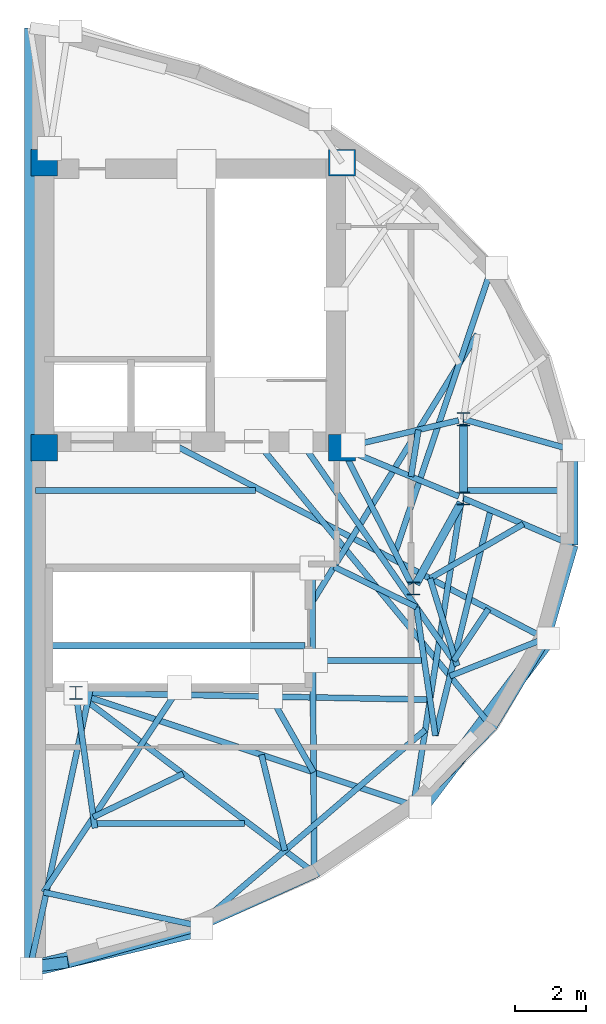
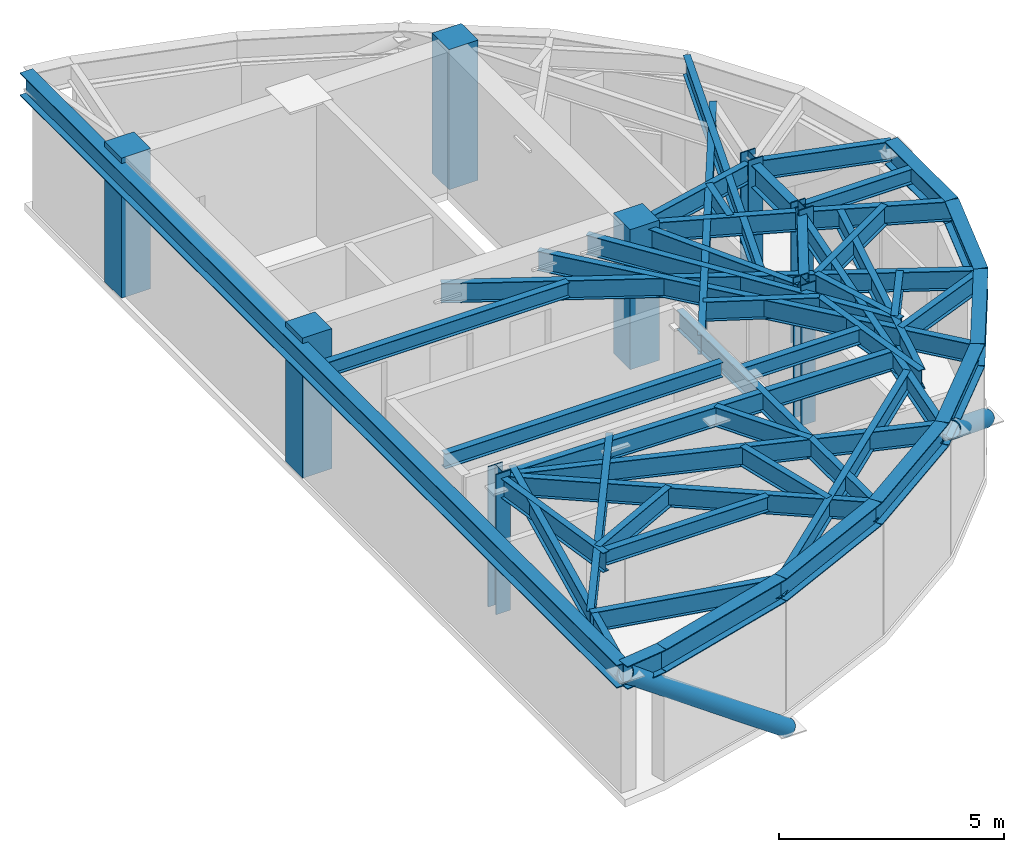
# One storey, part 1 of 4: 47 beams, 8 columns, 2 members.
"""IFC4 building model written with IfcOpenShell, lengths in metres."""

from ifc_helpers import new_model, si_unit, direction, frame, origin, origin_2d, place, context, subcontext, project, spatial, rectangle, hollow_circle, i_section, extrude, material, material_profile, profile_set, type_object, element, save


model = new_model("IFC4")

# Units and contexts
model_context = context("Model", 3, precision=1e-05, world=origin(), true_north=direction((0.0, 1.0)))
body_context = subcontext(model_context, "Body", "Model", "MODEL_VIEW")
ifc_project = project(units=[si_unit("LENGTHUNIT", "METRE"), si_unit("AREAUNIT", "SQUARE_METRE"), si_unit("VOLUMEUNIT", "CUBIC_METRE"), si_unit("PLANEANGLEUNIT", "RADIAN"), si_unit("MASSUNIT", "GRAM", prefix="KILO")], contexts=[model_context])

# Site, building, storey
site_placement = place(None, origin())
site = spatial("IfcSite", under=ifc_project, at=site_placement, CompositionType="ELEMENT")
building_placement = place(site_placement, origin())
building = spatial("IfcBuilding", under=site, at=building_placement, Name="Keldmark Tower", CompositionType="ELEMENT")
storey_placement = place(building_placement, frame((0.0, 0.0, 288.199951171875)))
storey = spatial("IfcBuildingStorey", under=building, at=storey_placement, Name="L81", CompositionType="ELEMENT", Elevation=288.199951171875)

# Columns
ifc_material_1 = material(Name="Concrete C50/60", Category="concrete")
ifc_material_profile_1 = material_profile(ifc_material_1, rectangle(XDim=0.75, YDim=0.75, at=origin_2d()), Name="RC750X750")
ifc_profile_set_1 = profile_set([ifc_material_profile_1], Name="Concrete C50/60")
column_type_1 = type_object("IfcColumnType", Name="Core Boundary Column RC750", PredefinedType="PILASTER", material=ifc_profile_set_1)
for number, where, z_axis, x_axis, name in (
    (1, (5.199951171875, 1.39990234375, 0.0), (0.0, 0.0, 1.0), (1.0, 0.0, 0.0), "L81 Core Boundary Column CC-E1"),
    (2, (5.199951171875, 9.449951171875, 0.0), (0.0, 0.0, 1.0), (1.0, 0.0, 0.0), "L81 Core Boundary Column CC-E2"),
    (3, (13.60009765625, 1.39990234375, 0.0), (0.0, 0.0, 1.0), (1.0, 0.0, 0.0), "L81 Core Boundary Column CC-E3"),
    (4, (13.60009765625, 9.449951171875, 0.0), (0.0, 0.0, 1.0), (1.0, 0.0, 0.0), "L81 Core Boundary Column CC-E4"),
):
    element("IfcColumn", number, at=place(storey_placement, frame(where, z_axis=z_axis, x_axis=x_axis)), inside=storey, type_object=column_type_1, Name=name, PredefinedType="PILASTER", context=body_context, shape_type="SweptSolid", body=[
        extrude(rectangle(XDim=0.75, YDim=0.75, at=origin_2d()), origin(), (0.0, 0.0, 1.0), 3.800048828125),
    ])
ifc_material_2 = material(Name="Steel ASTM A992 Grade 50", Category="steel")
ifc_material_profile_2 = material_profile(ifc_material_2, i_section(OverallWidth=0.3740234375, OverallDepth=0.3720703125, WebThickness=0.016357421875, FlangeThickness=0.026123046875, at=origin_2d()), Name="W14X132")
ifc_profile_set_2 = profile_set([ifc_material_profile_2], Name="Steel ASTM A992 Grade 50")
column_type_2 = type_object("IfcColumnType", Name="Tower Gravity Column W14X132", PredefinedType="COLUMN", material=ifc_profile_set_2)
for number, where, z_axis, x_axis, name in (
    (5, (17.025634765625, 2.2080078125, 0.0), (0.0, 0.0, 1.0), (1.0, 0.0, 0.0), "L81 Tower Gravity Column TC-E1"),
    (6, (6.089599609375, -5.512939453125, 0.0), (0.0, 0.0, 1.0), (1.0, 0.0, 0.0), "L81 Tower Gravity Column TC-E3"),
    (7, (15.6162109375, -2.5673828125, 0.0), (0.0, 0.0, 1.0), (1.0, 0.0, 0.0), "L81 Tower Gravity Column TC-E2"),
    (8, (17.025634765625, -0.02392578125, 0.0), (0.0, 0.0, 1.0), (1.0, 0.0, 0.0), "L81 Tower Gravity Column TC-E5"),
):
    element("IfcColumn", number, at=place(storey_placement, frame(where, z_axis=z_axis, x_axis=x_axis)), inside=storey, type_object=column_type_2, Name=name, PredefinedType="COLUMN", context=body_context, shape_type="SweptSolid", body=[
        extrude(i_section(OverallWidth=0.3740234375, OverallDepth=0.3720703125, WebThickness=0.016357421875, FlangeThickness=0.026123046875, at=origin_2d()), origin(), (0.0, 0.0, 1.0), 3.800048828125),
    ])

# Beams
ifc_material_3 = material(Name="Steel ASTM A992 Grade 50", Category="steel")
ifc_material_profile_3 = material_profile(ifc_material_3, i_section(OverallWidth=0.177978515625, OverallDepth=0.403076171875, WebThickness=0.007568359375, FlangeThickness=0.010986328125, at=origin_2d()), Name="W16X36")
ifc_profile_set_3 = profile_set([ifc_material_profile_3], Name="Steel ASTM A992 Grade 50")
beam_type_1 = type_object("IfcBeamType", Name="Composite Floor Joist W16X36", PredefinedType="JOIST", material=ifc_profile_set_3)
beam_1_placement = place(storey_placement, frame((6.683837890625, -9.199951171875, 3.448486328125), z_axis=(1.0, 0.0, 0.0), x_axis=(0.0, 1.0, 0.0)))
element("IfcBeam", 9, at=beam_1_placement, inside=storey, type_object=beam_type_1, Name="L81 Composite Floor Joist J01", PredefinedType="JOIST", context=body_context, shape_type="SweptSolid", body=[
    extrude(i_section(OverallWidth=0.177978515625, OverallDepth=0.403076171875, WebThickness=0.007568359375, FlangeThickness=0.010986328125, at=origin_2d()), origin(), (0.0, 0.0, 1.0), 4.16162109375),
])
beam_2_placement = place(storey_placement, frame((5.429931640625, -4.179931640625, 3.448486328125), z_axis=(1.0, 0.0, 0.0), x_axis=(0.0, 1.0, 0.0)))
element("IfcBeam", 10, at=beam_2_placement, inside=storey, type_object=beam_type_1, Name="L81 Composite Floor Joist J02", PredefinedType="JOIST", context=body_context, shape_type="SweptSolid", body=[
    extrude(i_section(OverallWidth=0.177978515625, OverallDepth=0.403076171875, WebThickness=0.007568359375, FlangeThickness=0.010986328125, at=origin_2d()), origin(), (0.0, 0.0, 1.0), 7.130126953125),
])
beam_3_placement = place(storey_placement, frame((12.8515625, -4.60009765625, 3.448486328125), z_axis=(1.0, 0.0, 0.0), x_axis=(0.0, 1.0, 0.0)))
element("IfcBeam", 11, at=beam_3_placement, inside=storey, type_object=beam_type_1, Name="L81 Composite Floor Joist J03", PredefinedType="JOIST", context=body_context, shape_type="SweptSolid", body=[
    extrude(i_section(OverallWidth=0.177978515625, OverallDepth=0.403076171875, WebThickness=0.007568359375, FlangeThickness=0.010986328125, at=origin_2d()), origin(), (0.0, 0.0, 1.0), 2.993896484375),
])
beam_4_placement = place(storey_placement, frame((4.95458984375, 0.199951171875, 3.448486328125), z_axis=(1.0, 0.0, 0.0), x_axis=(0.0, 1.0, 0.0)))
element("IfcBeam", 12, at=beam_4_placement, inside=storey, type_object=beam_type_1, Name="L81 Composite Floor Joist J04", PredefinedType="JOIST", context=body_context, shape_type="SweptSolid", body=[
    extrude(i_section(OverallWidth=0.177978515625, OverallDepth=0.403076171875, WebThickness=0.007568359375, FlangeThickness=0.010986328125, at=origin_2d()), origin(), (0.0, 0.0, 1.0), 6.199462890625),
])
beam_5_placement = place(storey_placement, frame((17.130615234375, 0.199951171875, 3.448486328125), z_axis=(1.0, 0.0, 0.0), x_axis=(0.0, 1.0, 0.0)))
element("IfcBeam", 13, at=beam_5_placement, inside=storey, type_object=beam_type_1, Name="L81 Composite Floor Joist J05", PredefinedType="JOIST", context=body_context, shape_type="SweptSolid", body=[
    extrude(i_section(OverallWidth=0.177978515625, OverallDepth=0.403076171875, WebThickness=0.007568359375, FlangeThickness=0.010986328125, at=origin_2d()), origin(), (0.0, 0.0, 1.0), 2.817626953125),
])

# Members
ifc_material_4 = material(Name="Steel ASTM A572 Grade 50", Category="steel")
ifc_material_profile_4 = material_profile(ifc_material_4, hollow_circle(Radius=0.22509765625, WallThickness=0.02197265625, at=origin_2d()), Name="CHS450X22")
ifc_profile_set_4 = profile_set([ifc_material_profile_4], Name="Steel ASTM A572 Grade 50")
member_type = type_object("IfcMemberType", Name="Crown Frame Brace CHS450X22", PredefinedType="USERDEFINED", material=ifc_profile_set_4)
member_1_placement = place(storey_placement, frame((19.423095703125, -3.9736328125, -0.449951171875), z_axis=(-0.507808730988, -0.670690129916, 0.540652422879), x_axis=(0.797257960963, -0.603638752634, 0.0)))
element("IfcMember", 14, at=member_1_placement, inside=storey, type_object=member_type, Name="L81 Crown Frame Diagonal E08", ObjectType="CROWN FRAME", PredefinedType="USERDEFINED", context=body_context, shape_type="SweptSolid", body=[
    extrude(hollow_circle(Radius=0.22509765625, WallThickness=0.02197265625, at=origin_2d()), origin(), (0.0, 0.0, 1.0), 7.12109375),
])
member_2_placement = place(storey_placement, frame((9.64208984375, -12.1552734375, -0.449951171875), z_axis=(-0.767619049072, -0.182124438343, 0.614484893597), x_axis=(0.230850347321, -0.97298926877, 0.0)))
element("IfcMember", 15, at=member_2_placement, inside=storey, type_object=member_type, Name="L81 Crown Frame Diagonal E12", ObjectType="CROWN FRAME", PredefinedType="USERDEFINED", context=body_context, shape_type="SweptSolid", body=[
    extrude(hollow_circle(Radius=0.22509765625, WallThickness=0.02197265625, at=origin_2d()), origin(), (0.0, 0.0, 1.0), 6.265625),
])

# Beams
ifc_material_5 = material(Name="Steel ASTM A992 Grade 50", Category="steel")
ifc_material_profile_5 = material_profile(ifc_material_5, i_section(OverallWidth=0.22802734375, OverallDepth=0.60302734375, WebThickness=0.010498046875, FlangeThickness=0.014892578125, at=origin_2d()), Name="W24X68")
ifc_profile_set_5 = profile_set([ifc_material_profile_5], Name="Steel ASTM A992 Grade 50")
beam_type_2 = type_object("IfcBeamType", Name="Primary Floor Girder W24X68", PredefinedType="BEAM", material=ifc_profile_set_5)
beam_6_placement = place(storey_placement, frame((15.68408203125, -2.44482421875, 3.3486328125), z_axis=(0.484719680408, 0.874669555561, 0.0), x_axis=(-0.874669555561, 0.484719680408, 0.0)))
element("IfcBeam", 16, at=beam_6_placement, inside=storey, type_object=beam_type_2, Name="L81 Floor Ring Girder FG-R03", PredefinedType="BEAM", context=body_context, shape_type="SweptSolid", body=[
    extrude(i_section(OverallWidth=0.22802734375, OverallDepth=0.60302734375, WebThickness=0.010498046875, FlangeThickness=0.014892578125, at=origin_2d()), origin(), (0.0, 0.0, 1.0), 2.627685546875),
])
beam_7_placement = place(storey_placement, frame((17.025634765625, 0.115966796875, 3.3486328125), z_axis=(0.0, 1.0, 0.0), x_axis=(-1.0, 0.0, 0.0)))
element("IfcBeam", 17, at=beam_7_placement, inside=storey, type_object=beam_type_2, Name="L81 Floor Ring Girder FG-R04", PredefinedType="BEAM", context=body_context, shape_type="SweptSolid", body=[
    extrude(i_section(OverallWidth=0.22802734375, OverallDepth=0.60302734375, WebThickness=0.010498046875, FlangeThickness=0.014892578125, at=origin_2d()), origin(), (0.0, 0.0, 1.0), 1.9521484375),
])
ifc_material_6 = material(Name="Steel ASTM A992 Grade 50", Category="steel")
ifc_material_profile_6 = material_profile(ifc_material_6, i_section(OverallWidth=0.166015625, OverallDepth=0.529052734375, WebThickness=0.009765625, FlangeThickness=0.013671875, at=origin_2d()), Name="W21X50")
ifc_profile_set_6 = profile_set([ifc_material_profile_6], Name="Steel ASTM A992 Grade 50")
beam_type_3 = type_object("IfcBeamType", Name="Radial Tie Girder W21X50", PredefinedType="BEAM", material=ifc_profile_set_6)
beam_8_placement = place(storey_placement, frame((16.889404296875, 2.17578125, 3.385498046875), z_axis=(-0.97329039005, -0.229577474147, 0.0), x_axis=(0.229577474147, -0.97329039005, 0.0)))
element("IfcBeam", 18, at=beam_8_placement, inside=storey, type_object=beam_type_3, Name="L81 Floor Radial Girder FG-C01", PredefinedType="BEAM", context=body_context, shape_type="SweptSolid", body=[
    extrude(i_section(OverallWidth=0.166015625, OverallDepth=0.529052734375, WebThickness=0.009765625, FlangeThickness=0.013671875, at=origin_2d()), origin(), (0.0, 0.0, 1.0), 3.0595703125),
])
beam_9_placement = place(storey_placement, frame((15.552734375, -2.442626953125, 3.385498046875), z_axis=(-0.453004410574, 0.89150827478, 0.0), x_axis=(-0.89150827478, -0.453004410574, 0.0)))
element("IfcBeam", 19, at=beam_9_placement, inside=storey, type_object=beam_type_3, Name="L81 Floor Radial Girder FG-C11", PredefinedType="BEAM", context=body_context, shape_type="SweptSolid", body=[
    extrude(i_section(OverallWidth=0.166015625, OverallDepth=0.529052734375, WebThickness=0.009765625, FlangeThickness=0.013671875, at=origin_2d()), origin(), (0.0, 0.0, 1.0), 3.990234375),
])
beam_10_placement = place(storey_placement, frame((16.896240234375, 0.02978515625, 3.385498046875), z_axis=(-0.923403331902, 0.383831065226, 0.0), x_axis=(-0.383831065226, -0.923403331902, 0.0)))
element("IfcBeam", 20, at=beam_10_placement, inside=storey, type_object=beam_type_3, Name="L81 Floor Radial Girder FG-C12", PredefinedType="BEAM", context=body_context, shape_type="SweptSolid", body=[
    extrude(i_section(OverallWidth=0.166015625, OverallDepth=0.529052734375, WebThickness=0.009765625, FlangeThickness=0.013671875, at=origin_2d()), origin(), (0.0, 0.0, 1.0), 3.249755859375),
])
beam_11_placement = place(storey_placement, frame((15.5458984375, 0.591064453125, 3.385498046875), z_axis=(0.157540898817, 0.987512463314, 0.0), x_axis=(-0.987512463314, 0.157540898817, 0.0)))
element("IfcBeam", 21, at=beam_11_placement, inside=storey, type_object=beam_type_3, Name="L81 Framing Pin Header PH-001", PredefinedType="BEAM", context=body_context, shape_type="SweptSolid", body=[
    extrude(i_section(OverallWidth=0.166015625, OverallDepth=0.529052734375, WebThickness=0.009765625, FlangeThickness=0.013671875, at=origin_2d()), origin(), (0.0, 0.0, 1.0), 1.334228515625),
])
beam_12_placement = place(storey_placement, frame((12.659912109375, -3.11328125, 3.385498046875), z_axis=(0.524785026428, 0.851234794893, 0.0), x_axis=(-0.851234794893, 0.524785026428, 0.0)))
element("IfcBeam", 22, at=beam_12_placement, inside=storey, type_object=beam_type_3, Name="L81 Intermediate Radial Step Girder CRT-E05M", PredefinedType="BEAM", context=body_context, shape_type="SweptSolid", body=[
    extrude(i_section(OverallWidth=0.166015625, OverallDepth=0.529052734375, WebThickness=0.009765625, FlangeThickness=0.013671875, at=origin_2d()), origin(), (0.0, 0.0, 1.0), 9.07080078125),
])
beam_13_placement = place(storey_placement, frame((15.100830078125, -1.55322265625, 3.385498046875), z_axis=(0.320847961113, 0.947130712124, 0.0), x_axis=(-0.947130712124, 0.320847961113, 0.0)))
element("IfcBeam", 23, at=beam_13_placement, inside=storey, type_object=beam_type_3, Name="L81 Perimeter Radial Tie Girder CRT-E05", PredefinedType="BEAM", context=body_context, shape_type="SweptSolid", body=[
    extrude(i_section(OverallWidth=0.166015625, OverallDepth=0.529052734375, WebThickness=0.009765625, FlangeThickness=0.013671875, at=origin_2d()), origin(), (0.0, 0.0, 1.0), 8.45849609375),
])
beam_14_placement = place(storey_placement, frame((17.025634765625, 2.2080078125, 3.385498046875), z_axis=(0.962668356494, -0.270683644511, 0.0), x_axis=(0.270683644511, 0.962668356494, 0.0)))
element("IfcBeam", 24, at=beam_14_placement, inside=storey, type_object=beam_type_3, Name="L81 Perimeter Column Bracket CRT-E07", PredefinedType="BEAM", context=body_context, shape_type="SweptSolid", body=[
    extrude(i_section(OverallWidth=0.166015625, OverallDepth=0.529052734375, WebThickness=0.009765625, FlangeThickness=0.013671875, at=origin_2d()), origin(), (0.0, 0.0, 1.0), 3.196533203125),
])
beam_15_placement = place(storey_placement, frame((17.025634765625, -0.02392578125, 3.385498046875), z_axis=(0.91913748596, -0.393936900917, 0.0), x_axis=(0.393936900917, 0.91913748596, 0.0)))
element("IfcBeam", 25, at=beam_15_placement, inside=storey, type_object=beam_type_3, Name="L81 Perimeter Column Bracket CRT-E08", PredefinedType="BEAM", context=body_context, shape_type="SweptSolid", body=[
    extrude(i_section(OverallWidth=0.166015625, OverallDepth=0.529052734375, WebThickness=0.009765625, FlangeThickness=0.013671875, at=origin_2d()), origin(), (0.0, 0.0, 1.0), 3.347900390625),
])
beam_16_placement = place(storey_placement, frame((18.718017578125, -0.749267578125, 3.385498046875), z_axis=(-0.864098230353, -0.503323204612, 0.0), x_axis=(0.503323204612, -0.864098230353, 0.0)))
element("IfcBeam", 26, at=beam_16_placement, inside=storey, type_object=beam_type_3, Name="L81 Framing Pin Header PH-003", PredefinedType="BEAM", context=body_context, shape_type="SweptSolid", body=[
    extrude(i_section(OverallWidth=0.166015625, OverallDepth=0.529052734375, WebThickness=0.009765625, FlangeThickness=0.013671875, at=origin_2d()), origin(), (0.0, 0.0, 1.0), 3.048583984375),
])
beam_17_placement = place(storey_placement, frame((8.685791015625, 1.574951171875, 3.385498046875), z_axis=(0.886645756959, -0.462449242259, 0.0), x_axis=(0.462449242259, 0.886645756959, 0.0)))
element("IfcBeam", 27, at=beam_17_placement, inside=storey, type_object=beam_type_3, Name="L81 Perimeter Radial Tie Girder CRT-E09", PredefinedType="BEAM", context=body_context, shape_type="SweptSolid", body=[
    extrude(i_section(OverallWidth=0.166015625, OverallDepth=0.529052734375, WebThickness=0.009765625, FlangeThickness=0.013671875, at=origin_2d()), origin(), (0.0, 0.0, 1.0), 12.005126953125),
])
beam_18_placement = place(storey_placement, frame((13.3740234375, -1.955078125, 3.385498046875), z_axis=(0.897906113047, -0.440187019518, 0.0), x_axis=(0.440187019518, 0.897906113047, 0.0)))
element("IfcBeam", 28, at=beam_18_placement, inside=storey, type_object=beam_type_3, Name="L81 Framing Pin Header PH-004", PredefinedType="BEAM", context=body_context, shape_type="SweptSolid", body=[
    extrude(i_section(OverallWidth=0.166015625, OverallDepth=0.529052734375, WebThickness=0.009765625, FlangeThickness=0.013671875, at=origin_2d()), origin(), (0.0, 0.0, 1.0), 2.590087890625),
])
beam_19_placement = place(storey_placement, frame((12.4462890625, 1.574951171875, 3.385498046875), z_axis=(0.571596945457, -0.820534540373, 0.0), x_axis=(0.820534540373, 0.571596945457, 0.0)))
element("IfcBeam", 29, at=beam_19_placement, inside=storey, type_object=beam_type_3, Name="L81 Intermediate Radial Step Girder CRT-E10M", PredefinedType="BEAM", context=body_context, shape_type="SweptSolid", body=[
    extrude(i_section(OverallWidth=0.166015625, OverallDepth=0.529052734375, WebThickness=0.009765625, FlangeThickness=0.013671875, at=origin_2d()), origin(), (0.0, 0.0, 1.0), 7.70947265625),
])
beam_20_placement = place(storey_placement, frame((16.083740234375, -2.28369140625, 3.385498046875), z_axis=(0.29766174431, -0.954671402093, 0.0), x_axis=(0.954671402093, 0.29766174431, 0.0)))
element("IfcBeam", 30, at=beam_20_placement, inside=storey, type_object=beam_type_3, Name="L81 Local Collector Chord CRT-E10C", PredefinedType="BEAM", context=body_context, shape_type="SweptSolid", body=[
    extrude(i_section(OverallWidth=0.166015625, OverallDepth=0.529052734375, WebThickness=0.009765625, FlangeThickness=0.013671875, at=origin_2d()), origin(), (0.0, 0.0, 1.0), 2.58447265625),
])
beam_21_placement = place(storey_placement, frame((17.7333984375, -3.14404296875, 3.385498046875), z_axis=(-0.557161145366, -0.830404394313, 0.0), x_axis=(0.830404394313, -0.557161145366, 0.0)))
element("IfcBeam", 31, at=beam_21_placement, inside=storey, type_object=beam_type_3, Name="L81 Framing Pin Header PH-005", PredefinedType="BEAM", context=body_context, shape_type="SweptSolid", body=[
    extrude(i_section(OverallWidth=0.166015625, OverallDepth=0.529052734375, WebThickness=0.009765625, FlangeThickness=0.013671875, at=origin_2d()), origin(), (0.0, 0.0, 1.0), 1.760986328125),
])
beam_22_placement = place(storey_placement, frame((17.794921875, -0.353759765625, 3.385498046875), z_axis=(-0.238116807366, -0.971236524257, 0.0), x_axis=(0.971236524257, -0.238116807366, 0.0)))
element("IfcBeam", 32, at=beam_22_placement, inside=storey, type_object=beam_type_3, Name="L81 Intermediate Radial Step Girder CRT-E11M", PredefinedType="BEAM", context=body_context, shape_type="SweptSolid", body=[
    extrude(i_section(OverallWidth=0.166015625, OverallDepth=0.529052734375, WebThickness=0.009765625, FlangeThickness=0.013671875, at=origin_2d()), origin(), (0.0, 0.0, 1.0), 6.5556640625),
])
beam_23_placement = place(storey_placement, frame((15.69970703125, -3.09521484375, 3.385498046875), z_axis=(0.145756728198, -0.989320461825, 0.0), x_axis=(0.989320461825, 0.145756728198, 0.0)))
element("IfcBeam", 33, at=beam_23_placement, inside=storey, type_object=beam_type_3, Name="L81 Local Collector Chord CRT-E11C", PredefinedType="BEAM", context=body_context, shape_type="SweptSolid", body=[
    extrude(i_section(OverallWidth=0.166015625, OverallDepth=0.529052734375, WebThickness=0.009765625, FlangeThickness=0.013671875, at=origin_2d()), origin(), (0.0, 0.0, 1.0), 3.664794921875),
])
beam_24_placement = place(storey_placement, frame((6.089599609375, -5.512939453125, 3.385498046875), z_axis=(0.999815735445, -0.019196227663, 0.0), x_axis=(0.019196227663, 0.999815735445, 0.0)))
element("IfcBeam", 34, at=beam_24_placement, inside=storey, type_object=beam_type_3, Name="L81 Framing Pin Header PH-006", PredefinedType="BEAM", context=body_context, shape_type="SweptSolid", body=[
    extrude(i_section(OverallWidth=0.166015625, OverallDepth=0.529052734375, WebThickness=0.009765625, FlangeThickness=0.013671875, at=origin_2d()), origin(), (0.0, 0.0, 1.0), 9.99658203125),
])
beam_25_placement = place(storey_placement, frame((16.957763671875, -0.146484375, 3.385498046875), z_axis=(-0.155269708011, -0.987872116103, 0.0), x_axis=(0.987872116103, -0.155269708011, 0.0)))
element("IfcBeam", 35, at=beam_25_placement, inside=storey, type_object=beam_type_3, Name="L81 Perimeter Radial Tie Girder CRT-E11", PredefinedType="BEAM", context=body_context, shape_type="SweptSolid", body=[
    extrude(i_section(OverallWidth=0.166015625, OverallDepth=0.529052734375, WebThickness=0.009765625, FlangeThickness=0.013671875, at=origin_2d()), origin(), (0.0, 0.0, 1.0), 8.649658203125),
])
beam_26_placement = place(storey_placement, frame((19.330078125, -3.976806640625, 3.385498046875), z_axis=(-0.929684778868, -0.368356093938, 0.0), x_axis=(0.368356093938, -0.929684778868, 0.0)))
element("IfcBeam", 36, at=beam_26_placement, inside=storey, type_object=beam_type_3, Name="L81 Framing Pin Header PH-008", PredefinedType="BEAM", context=body_context, shape_type="SweptSolid", body=[
    extrude(i_section(OverallWidth=0.166015625, OverallDepth=0.529052734375, WebThickness=0.009765625, FlangeThickness=0.013671875, at=origin_2d()), origin(), (0.0, 0.0, 1.0), 2.88720703125),
])
beam_27_placement = place(storey_placement, frame((11.19287109375, 1.574951171875, 3.385498046875), z_axis=(0.636076264002, -0.771626196013, 0.0), x_axis=(0.771626196013, 0.636076264002, 0.0)))
element("IfcBeam", 37, at=beam_27_placement, inside=storey, type_object=beam_type_3, Name="L81 Perimeter Radial Tie Girder CRT-E10R", PredefinedType="BEAM", context=body_context, shape_type="SweptSolid", body=[
    extrude(i_section(OverallWidth=0.166015625, OverallDepth=0.529052734375, WebThickness=0.009765625, FlangeThickness=0.013671875, at=origin_2d()), origin(), (0.0, 0.0, 1.0), 10.410400390625),
])
beam_28_placement = place(storey_placement, frame((6.089599609375, -5.512939453125, 3.385498046875), z_axis=(0.948588433028, -0.31651221892, 0.0), x_axis=(0.31651221892, 0.948588433028, 0.0)))
element("IfcBeam", 38, at=beam_28_placement, inside=storey, type_object=beam_type_3, Name="L81 Straddling Support Chord CRT-E12RB", PredefinedType="BEAM", context=body_context, shape_type="SweptSolid", body=[
    extrude(i_section(OverallWidth=0.166015625, OverallDepth=0.529052734375, WebThickness=0.009765625, FlangeThickness=0.013671875, at=origin_2d()), origin(), (0.0, 0.0, 1.0), 10.04150390625),
])
beam_29_placement = place(storey_placement, frame((11.586669921875, -5.618408203125, 3.385498046875), z_axis=(0.493477281163, -0.869758686634, 0.0), x_axis=(0.869758686634, 0.493477281163, 0.0)))
element("IfcBeam", 39, at=beam_29_placement, inside=storey, type_object=beam_type_3, Name="L81 Framing Pin Header PH-009", PredefinedType="BEAM", context=body_context, shape_type="SweptSolid", body=[
    extrude(i_section(OverallWidth=0.166015625, OverallDepth=0.529052734375, WebThickness=0.009765625, FlangeThickness=0.013671875, at=origin_2d()), origin(), (0.0, 0.0, 1.0), 2.451904296875),
])
beam_30_placement = place(storey_placement, frame((12.760009765625, -1.989990234375, 3.385498046875), z_axis=(0.006358810858, -0.999979782558, 0.0), x_axis=(0.999979782558, 0.006358810858, 0.0)))
element("IfcBeam", 40, at=beam_30_placement, inside=storey, type_object=beam_type_3, Name="L81 Perimeter Radial Tie Girder CRT-E12R", PredefinedType="BEAM", context=body_context, shape_type="SweptSolid", body=[
    extrude(i_section(OverallWidth=0.166015625, OverallDepth=0.529052734375, WebThickness=0.009765625, FlangeThickness=0.013671875, at=origin_2d()), origin(), (0.0, 0.0, 1.0), 8.600341796875),
])
beam_31_placement = place(storey_placement, frame((6.089599609375, -5.512939453125, 3.385498046875), z_axis=(0.798097667349, -0.602528101728, 0.0), x_axis=(0.602528101728, 0.798097667349, 0.0)))
element("IfcBeam", 41, at=beam_31_placement, inside=storey, type_object=beam_type_3, Name="L81 Straddling Support Chord CRT-E13RB", PredefinedType="BEAM", context=body_context, shape_type="SweptSolid", body=[
    extrude(i_section(OverallWidth=0.166015625, OverallDepth=0.529052734375, WebThickness=0.009765625, FlangeThickness=0.013671875, at=origin_2d()), origin(), (0.0, 0.0, 1.0), 8.426513671875),
])
beam_32_placement = place(storey_placement, frame((11.328369140625, -7.260986328125, 3.385498046875), z_axis=(0.236253043333, -0.971691566041, 0.0), x_axis=(0.971691566041, 0.236253043333, 0.0)))
element("IfcBeam", 42, at=beam_32_placement, inside=storey, type_object=beam_type_3, Name="L81 Framing Pin Header PH-010", PredefinedType="BEAM", context=body_context, shape_type="SweptSolid", body=[
    extrude(i_section(OverallWidth=0.166015625, OverallDepth=0.529052734375, WebThickness=0.009765625, FlangeThickness=0.013671875, at=origin_2d()), origin(), (0.0, 0.0, 1.0), 2.781982421875),
])
beam_33_placement = place(storey_placement, frame((15.950439453125, -6.554931640625, 3.385498046875), z_axis=(-0.758239292557, -0.651976360938, 0.0), x_axis=(0.651976360938, -0.758239292557, 0.0)))
element("IfcBeam", 43, at=beam_33_placement, inside=storey, type_object=beam_type_3, Name="L81 Perimeter Radial Tie Girder CRT-E13R", PredefinedType="BEAM", context=body_context, shape_type="SweptSolid", body=[
    extrude(i_section(OverallWidth=0.166015625, OverallDepth=0.529052734375, WebThickness=0.009765625, FlangeThickness=0.013671875, at=origin_2d()), origin(), (0.0, 0.0, 1.0), 8.477783203125),
])
beam_34_placement = place(storey_placement, frame((6.089599609375, -5.512939453125, 3.385498046875), z_axis=(0.139257742323, -0.990256169485, 0.0), x_axis=(0.990256169485, 0.139257742323, 0.0)))
element("IfcBeam", 44, at=beam_34_placement, inside=storey, type_object=beam_type_3, Name="L81 Column Step Bracket CRT-E14RS", PredefinedType="BEAM", context=body_context, shape_type="SweptSolid", body=[
    extrude(i_section(OverallWidth=0.166015625, OverallDepth=0.529052734375, WebThickness=0.009765625, FlangeThickness=0.013671875, at=origin_2d()), origin(), (0.0, 0.0, 1.0), 3.855224609375),
])
beam_35_placement = place(storey_placement, frame((9.11572265625, -7.797607421875, 3.385498046875), z_axis=(-0.90057272899, -0.434705371256, 0.0), x_axis=(0.434705371256, -0.90057272899, 0.0)))
element("IfcBeam", 45, at=beam_35_placement, inside=storey, type_object=beam_type_3, Name="L81 Framing Pin Header PH-011", PredefinedType="BEAM", context=body_context, shape_type="SweptSolid", body=[
    extrude(i_section(OverallWidth=0.166015625, OverallDepth=0.529052734375, WebThickness=0.009765625, FlangeThickness=0.013671875, at=origin_2d()), origin(), (0.0, 0.0, 1.0), 2.8125),
])
beam_36_placement = place(storey_placement, frame((9.010009765625, -5.360107421875, 3.385498046875), z_axis=(-0.552683374699, -0.833391317048, 0.0), x_axis=(0.833391317048, -0.552683374699, 0.0)))
element("IfcBeam", 46, at=beam_36_placement, inside=storey, type_object=beam_type_3, Name="L81 Crown Step Radial Girder CRT-E15RN2", PredefinedType="BEAM", context=body_context, shape_type="SweptSolid", body=[
    extrude(i_section(OverallWidth=0.166015625, OverallDepth=0.529052734375, WebThickness=0.009765625, FlangeThickness=0.013671875, at=origin_2d()), origin(), (0.0, 0.0, 1.0), 6.93359375),
])
beam_37_placement = place(storey_placement, frame((5.177978515625, -11.138427734375, 3.385498046875), z_axis=(0.97720213029, -0.212311084394, 0.0), x_axis=(0.212311084394, 0.97720213029, 0.0)))
element("IfcBeam", 47, at=beam_37_placement, inside=storey, type_object=beam_type_3, Name="L81 Crown Step Collector Chord CRT-E15RP2", PredefinedType="BEAM", context=body_context, shape_type="SweptSolid", body=[
    extrude(i_section(OverallWidth=0.166015625, OverallDepth=0.529052734375, WebThickness=0.009765625, FlangeThickness=0.013671875, at=origin_2d()), origin(), (0.0, 0.0, 1.0), 4.445556640625),
])
beam_38_placement = place(storey_placement, frame((6.510009765625, -5.360107421875, 3.385498046875), z_axis=(-0.211716774931, -0.97733106326, 0.0), x_axis=(0.97733106326, -0.211716774931, 0.0)))
element("IfcBeam", 48, at=beam_38_placement, inside=storey, type_object=beam_type_3, Name="L81 Perimeter Radial Tie Girder CRT-E15R", PredefinedType="BEAM", context=body_context, shape_type="SweptSolid", body=[
    extrude(i_section(OverallWidth=0.166015625, OverallDepth=0.529052734375, WebThickness=0.009765625, FlangeThickness=0.013671875, at=origin_2d()), origin(), (0.0, 0.0, 1.0), 8.07666015625),
])
ifc_material_7 = material(Name="Steel ASTM A992 Grade 50", Category="steel")
ifc_material_profile_7 = material_profile(ifc_material_7, i_section(OverallWidth=0.326904296875, OverallDepth=0.6220703125, WebThickness=0.015380859375, FlangeThickness=0.0244140625, at=origin_2d()), Name="W24X131")
ifc_profile_set_7 = profile_set([ifc_material_profile_7], Name="Steel ASTM A992 Grade 50")
beam_type_4 = type_object("IfcBeamType", Name="Spandrel Ring Beam W24X131", PredefinedType="SPANDREL", material=ifc_profile_set_7)
beam_39_placement = place(storey_placement, frame((20.102783203125, 1.3427734375, 3.339111328125), z_axis=(0.0, -1.0, 0.0), x_axis=(1.0, 0.0, 0.0)))
element("IfcBeam", 49, at=beam_39_placement, inside=storey, type_object=beam_type_4, Name="L81 Crown Spandrel Ring Beam CRB-E07", PredefinedType="SPANDREL", context=body_context, shape_type="SweptSolid", body=[
    extrude(i_section(OverallWidth=0.326904296875, OverallDepth=0.6220703125, WebThickness=0.015380859375, FlangeThickness=0.0244140625, at=origin_2d()), origin(), (0.0, 0.0, 1.0), 2.685546875),
])
beam_40_placement = place(storey_placement, frame((20.102783203125, -1.3427734375, 3.339111328125), z_axis=(-0.281492130233, -0.959563536519, 0.0), x_axis=(0.959563536519, -0.281492130233, 0.0)))
element("IfcBeam", 50, at=beam_40_placement, inside=storey, type_object=beam_type_4, Name="L81 Crown Spandrel Ring Beam CRB-E08", PredefinedType="SPANDREL", context=body_context, shape_type="SweptSolid", body=[
    extrude(i_section(OverallWidth=0.326904296875, OverallDepth=0.6220703125, WebThickness=0.015380859375, FlangeThickness=0.0244140625, at=origin_2d()), origin(), (0.0, 0.0, 1.0), 2.7451171875),
])
beam_41_placement = place(storey_placement, frame((19.330078125, -3.976806640625, 3.339111328125), z_axis=(-0.521222413768, -0.853420878222, 0.0), x_axis=(0.853420878222, -0.521222413768, 0.0)))
element("IfcBeam", 51, at=beam_41_placement, inside=storey, type_object=beam_type_4, Name="L81 Crown Spandrel Ring Beam CRB-E09", PredefinedType="SPANDREL", context=body_context, shape_type="SweptSolid", body=[
    extrude(i_section(OverallWidth=0.326904296875, OverallDepth=0.6220703125, WebThickness=0.015380859375, FlangeThickness=0.0244140625, at=origin_2d()), origin(), (0.0, 0.0, 1.0), 2.907470703125),
])
beam_42_placement = place(storey_placement, frame((17.814697265625, -6.4580078125, 3.339111328125), z_axis=(-0.70179100057, -0.712382896706, 0.0), x_axis=(0.712382896706, -0.70179100057, 0.0)))
element("IfcBeam", 52, at=beam_42_placement, inside=storey, type_object=beam_type_4, Name="L81 Crown Spandrel Ring Beam CRB-E10", PredefinedType="SPANDREL", context=body_context, shape_type="SweptSolid", body=[
    extrude(i_section(OverallWidth=0.326904296875, OverallDepth=0.6220703125, WebThickness=0.015380859375, FlangeThickness=0.0244140625, at=origin_2d()), origin(), (0.0, 0.0, 1.0), 3.134765625),
])
beam_43_placement = place(storey_placement, frame((15.61474609375, -8.691162109375, 3.339111328125), z_axis=(-0.827627820282, -0.561277285391, 0.0), x_axis=(0.561277285391, -0.827627820282, 0.0)))
element("IfcBeam", 53, at=beam_43_placement, inside=storey, type_object=beam_type_4, Name="L81 Crown Spandrel Ring Beam CRB-E11", PredefinedType="SPANDREL", context=body_context, shape_type="SweptSolid", body=[
    extrude(i_section(OverallWidth=0.326904296875, OverallDepth=0.6220703125, WebThickness=0.015380859375, FlangeThickness=0.0244140625, at=origin_2d()), origin(), (0.0, 0.0, 1.0), 3.38330078125),
])
beam_44_placement = place(storey_placement, frame((12.814697265625, -10.590087890625, 3.339111328125), z_axis=(-0.910823886313, -0.412795164848, 0.0), x_axis=(0.412795164848, -0.910823886313, 0.0)))
element("IfcBeam", 54, at=beam_44_placement, inside=storey, type_object=beam_type_4, Name="L81 Crown Spandrel Ring Beam CRB-E12", PredefinedType="SPANDREL", context=body_context, shape_type="SweptSolid", body=[
    extrude(i_section(OverallWidth=0.326904296875, OverallDepth=0.6220703125, WebThickness=0.015380859375, FlangeThickness=0.0244140625, at=origin_2d()), origin(), (0.0, 0.0, 1.0), 3.61474609375),
])
beam_45_placement = place(storey_placement, frame((9.522216796875, -12.082275390625, 3.339111328125), z_axis=(-0.962726776625, -0.270475791097, 0.0), x_axis=(0.270475791097, -0.962726776625, 0.0)))
element("IfcBeam", 55, at=beam_45_placement, inside=storey, type_object=beam_type_4, Name="L81 Crown Spandrel Ring Beam CRB-E13", PredefinedType="SPANDREL", context=body_context, shape_type="SweptSolid", body=[
    extrude(i_section(OverallWidth=0.326904296875, OverallDepth=0.6220703125, WebThickness=0.015380859375, FlangeThickness=0.0244140625, at=origin_2d()), origin(), (0.0, 0.0, 1.0), 3.800048828125),
])
beam_46_placement = place(storey_placement, frame((5.86376953125, -13.110107421875, 3.339111328125), z_axis=(-0.991016074053, -0.133742816512, 0.0), x_axis=(0.133742816512, -0.991016074053, 0.0)))
element("IfcBeam", 56, at=beam_46_placement, inside=storey, type_object=beam_type_4, Name="L81 Crown Spandrel Ring Beam CRB-E14", PredefinedType="SPANDREL", context=body_context, shape_type="SweptSolid", body=[
    extrude(i_section(OverallWidth=0.326904296875, OverallDepth=0.6220703125, WebThickness=0.015380859375, FlangeThickness=0.0244140625, at=origin_2d()), origin(), (0.0, 0.0, 1.0), 1.0732421875),
])
beam_47_placement = place(storey_placement, frame((4.800048828125, -13.253662109375, 3.339111328125), z_axis=(0.0, 1.0, 0.0), x_axis=(-1.0, 0.0, 0.0)))
element("IfcBeam", 57, at=beam_47_placement, inside=storey, type_object=beam_type_4, Name="L81 Crown Spandrel Ring Beam CRB-E15", PredefinedType="SPANDREL", context=body_context, shape_type="SweptSolid", body=[
    extrude(i_section(OverallWidth=0.326904296875, OverallDepth=0.6220703125, WebThickness=0.015380859375, FlangeThickness=0.0244140625, at=origin_2d()), origin(), (0.0, 0.0, 1.0), 26.50732421875),
])

save(model, "model.ifc")
